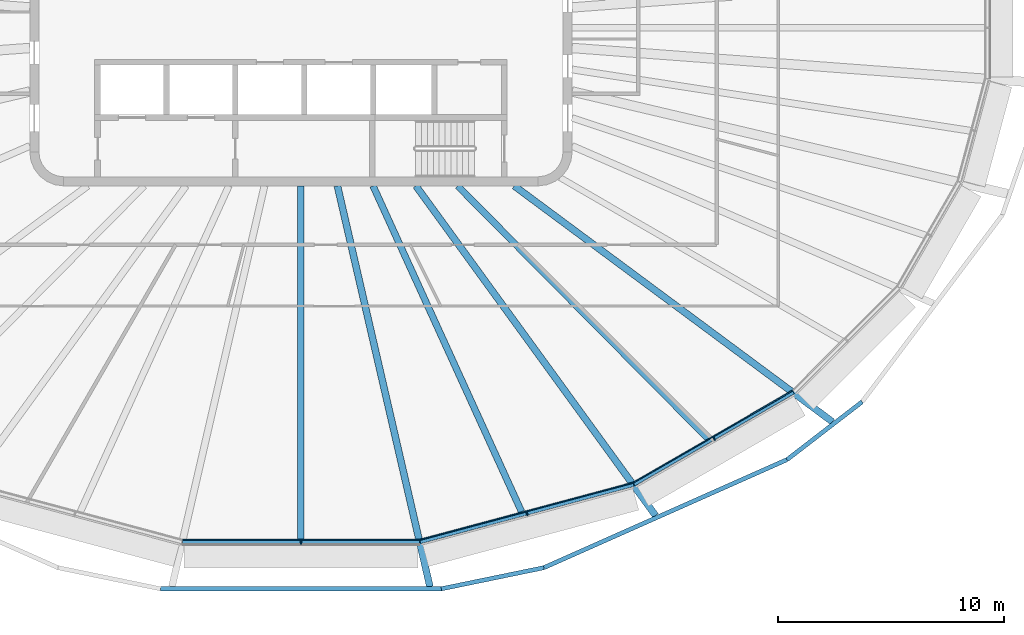
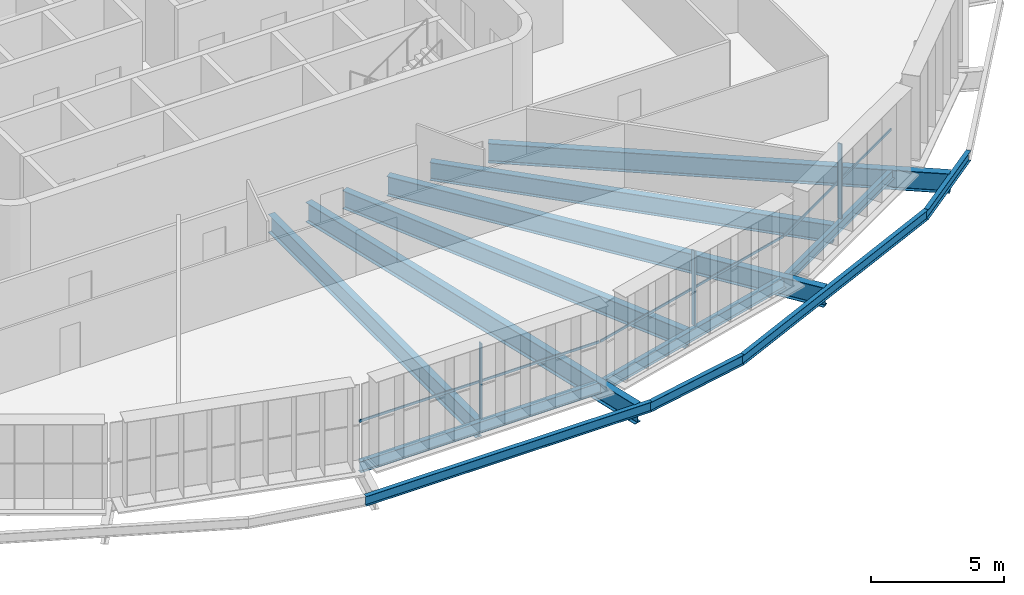
# One storey, part 3 of 19: 13 beams, 6 members, 3 elements without a shape of their own.
"""IFC4 building model written with IfcOpenShell, lengths in metres."""

from ifc_helpers import new_model, si_unit, direction, frame, origin, origin_2d, place, context, subcontext, project, spatial, rectangle, i_section, extrude, material, layer, layer_set, material_profile, profile_set, type_object, element, aggregate, save


model = new_model("IFC4")

# Units and contexts
model_context = context("Model", 3, precision=1e-05, world=origin(), true_north=direction((0.0, 1.0)))
body_context = subcontext(model_context, "Body", "Model", "MODEL_VIEW")
ifc_project = project(units=[si_unit("LENGTHUNIT", "METRE"), si_unit("AREAUNIT", "SQUARE_METRE"), si_unit("VOLUMEUNIT", "CUBIC_METRE"), si_unit("PLANEANGLEUNIT", "RADIAN"), si_unit("MASSUNIT", "GRAM", prefix="KILO")], contexts=[model_context])

# Site, building, storey
site_placement = place(None, origin())
site = spatial("IfcSite", under=ifc_project, at=site_placement, CompositionType="ELEMENT")
building_placement = place(site_placement, origin())
building = spatial("IfcBuilding", under=site, at=building_placement, Name="Sahrelin Media Tower", CompositionType="ELEMENT")
storey_placement = place(building_placement, frame((0.0, 0.0, 229.60009765625)))
storey = spatial("IfcBuildingStorey", under=building, at=storey_placement, Name="L49", CompositionType="ELEMENT", Elevation=229.60009765625)

# Beams
ifc_material_1 = material(Name="Steel S355", Category="steel")
ifc_material_profile_1 = material_profile(ifc_material_1, i_section(OverallWidth=0.1904296875, OverallDepth=0.45703125, WebThickness=0.009033203125, FlangeThickness=0.014404296875, FilletRadius=0.01025390625, at=origin_2d()), Name="UB 457x191x74")
ifc_profile_set_1 = profile_set([ifc_material_profile_1], Name="Steel S355")
beam_type_1 = type_object("IfcBeamType", Name="Edge beam EB5", PredefinedType="BEAM", material=ifc_profile_set_1)
beam_1_placement = place(storey_placement, frame((21.787841796875, -16.120361328125, -0.378662109375), z_axis=(-0.866014284008, -0.500019259524, 0.0), x_axis=(0.500019259524, -0.866014284008, 0.0)))
element("IfcBeam", 1, at=beam_1_placement, inside=storey, type_object=beam_type_1, Name="Edge beam L49-05", PredefinedType="BEAM", context=body_context, shape_type="SweptSolid", body=[
    extrude(i_section(OverallWidth=0.1904296875, OverallDepth=0.45703125, WebThickness=0.009033203125, FlangeThickness=0.014404296875, FilletRadius=0.01025390625, at=origin_2d()), origin(), (0.0, 0.0, 1.0), 8.140869140625),
])
ifc_material_profile_2 = material_profile(ifc_material_1, i_section(OverallWidth=0.208740234375, OverallDepth=0.5283203125, WebThickness=0.009521484375, FlangeThickness=0.01318359375, FilletRadius=0.0126953125, at=origin_2d()), Name="UB 533x210x82")
ifc_profile_set_2 = profile_set([ifc_material_profile_2], Name="Steel S355")
beam_type_2 = type_object("IfcBeamType", Name="Edge beam EB6", PredefinedType="BEAM", material=ifc_profile_set_2)
beam_2_placement = place(storey_placement, frame((14.711181640625, -20.201904296875, -0.414306640625), z_axis=(-0.965927302577, -0.258813535459, 0.0), x_axis=(0.258813535459, -0.965927302577, 0.0)))
element("IfcBeam", 2, at=beam_2_placement, inside=storey, type_object=beam_type_2, Name="Edge beam L49-06", PredefinedType="BEAM", context=body_context, shape_type="SweptSolid", body=[
    extrude(i_section(OverallWidth=0.208740234375, OverallDepth=0.5283203125, WebThickness=0.009521484375, FlangeThickness=0.01318359375, FilletRadius=0.0126953125, at=origin_2d()), origin(), (0.0, 0.0, 1.0), 9.768798828125),
])
beam_3_placement = place(storey_placement, frame((5.24658203125, -22.73388671875, -0.414306640625), z_axis=(-1.0, 0.0, 0.0), x_axis=(0.0, -1.0, 0.0)))
element("IfcBeam", 3, at=beam_3_placement, inside=storey, type_object=beam_type_2, Name="Edge beam L49-07", PredefinedType="BEAM", context=body_context, shape_type="SweptSolid", body=[
    extrude(i_section(OverallWidth=0.208740234375, OverallDepth=0.5283203125, WebThickness=0.009521484375, FlangeThickness=0.01318359375, FilletRadius=0.0126953125, at=origin_2d()), origin(), (0.0, 0.0, 1.0), 10.4931640625),
])

# Curtain wall, member
ifc_material_2 = material(Name="Champagne anodised aluminium 6063-T6", Category="aluminium")
ifc_layer = layer(ifc_material_2, 0.14990234375)
ifc_layer_set = layer_set([ifc_layer], Name="Tower ribbon curtain wall")
curtain_wall_type = type_object("IfcCurtainWallType", Name="Tower ribbon curtain wall", PredefinedType="NOTDEFINED", material=ifc_layer_set)
curtain_wall_1_placement = place(storey_placement, frame((0.0, -22.884033203125, 0.0), z_axis=(0.0, 0.0, 1.0), x_axis=(1.0, 0.0, 0.0)))
curtain_wall_1 = element("IfcCurtainWall", 4, at=curtain_wall_1_placement, inside=storey, type_object=curtain_wall_type, Name="L49:CW:L49-18", PredefinedType="NOTDEFINED")
ifc_material_profile_3 = material_profile(ifc_material_2, rectangle(XDim=0.06005859375, YDim=0.175048828125, at=origin_2d()), Name="Mullion 60x175")
ifc_profile_set_3 = profile_set([ifc_material_profile_3], Name="Champagne anodised aluminium 6063-T6")
member_type_1 = type_object("IfcMemberType", Name="Mullion 60x175 CW1B", PredefinedType="MULLION", material=ifc_profile_set_3)
member_1_placement = place(storey_placement, frame((0.0, -22.776611328125, 0.0), z_axis=(0.0, 0.0, 1.0), x_axis=(1.0, 0.0, 0.0)))
member_1 = element("IfcMember", 5, at=member_1_placement, type_object=member_type_1, Name="L49:CWM:L49-18", PredefinedType="MULLION", context=body_context, shape_type="SweptSolid", body=[
    extrude(rectangle(XDim=0.06005859375, YDim=0.175048828125, at=origin_2d()), origin(), (0.0, 0.0, 1.0), 3.448486328125),
])

curtain_wall_2_placement = place(storey_placement, frame((10.031982421875, -21.611083984375, 0.0), z_axis=(0.0, 0.0, 1.0), x_axis=(1.0, 0.0, 0.0)))
curtain_wall_2 = element("IfcCurtainWall", 6, at=curtain_wall_2_placement, inside=storey, type_object=curtain_wall_type, Name="L49:CW:L49-19", PredefinedType="NOTDEFINED")
member_2_placement = place(storey_placement, frame((10.004150390625, -21.507080078125, 0.0), z_axis=(0.0, 0.0, 1.0), x_axis=(0.965925826289, 0.258819045103, 0.0)))
member_2 = element("IfcMember", 7, at=member_2_placement, type_object=member_type_1, Name="L49:CWM:L49-19", PredefinedType="MULLION", context=body_context, shape_type="SweptSolid", body=[
    extrude(rectangle(XDim=0.06005859375, YDim=0.175048828125, at=origin_2d()), origin(), (0.0, 0.0, 1.0), 3.448486328125),
])

curtain_wall_3_placement = place(storey_placement, frame((18.337646484375, -18.285400390625, 0.0), z_axis=(0.0, 0.0, 1.0), x_axis=(1.0, 0.0, 0.0)))
curtain_wall_3 = element("IfcCurtainWall", 8, at=curtain_wall_3_placement, inside=storey, type_object=curtain_wall_type, Name="L49:CW:L49-20", PredefinedType="NOTDEFINED")
member_3_placement = place(storey_placement, frame((18.283935546875, -18.1923828125, 0.0), z_axis=(0.0, 0.0, 1.0), x_axis=(0.86602365845, 0.500003022996, 0.0)))
member_3 = element("IfcMember", 9, at=member_3_placement, type_object=member_type_1, Name="L49:CWM:L49-20", PredefinedType="MULLION", context=body_context, shape_type="SweptSolid", body=[
    extrude(rectangle(XDim=0.06005859375, YDim=0.175048828125, at=origin_2d()), origin(), (0.0, 0.0, 1.0), 3.448486328125),
])

# Beams
ifc_material_profile_4 = material_profile(ifc_material_1, i_section(OverallWidth=0.30322265625, OverallDepth=0.903076171875, WebThickness=0.01513671875, FlangeThickness=0.020263671875, FilletRadius=0.01904296875, at=origin_2d()), Name="UB 914x305x201")
ifc_profile_set_4 = profile_set([ifc_material_profile_4], Name="Steel S355")
beam_type_3 = type_object("IfcBeamType", Name="Radial primary beam PB11", PredefinedType="BEAM", material=ifc_profile_set_4)
beam_4_placement = place(storey_placement, frame((1.615234375, -7.0, -0.6015625), z_axis=(0.224863425005, -0.974390291462, 0.0), x_axis=(0.974390291462, 0.224863425005, 0.0)))
element("IfcBeam", 10, at=beam_4_placement, inside=storey, type_object=beam_type_3, Name="Radial beam L49-19", PredefinedType="BEAM", context=body_context, shape_type="SweptSolid", body=[
    extrude(i_section(OverallWidth=0.30322265625, OverallDepth=0.903076171875, WebThickness=0.01513671875, FlangeThickness=0.020263671875, FilletRadius=0.01904296875, at=origin_2d()), origin(), (0.0, 0.0, 1.0), 18.2021484375),
])
beam_5_placement = place(storey_placement, frame((5.088134765625, -7.0, -0.6015625), z_axis=(0.587961672332, -0.808888788319, 0.0), x_axis=(0.808888788319, 0.587961672332, 0.0)))
element("IfcBeam", 11, at=beam_5_placement, inside=storey, type_object=beam_type_3, Name="Radial beam L49-20", PredefinedType="BEAM", context=body_context, shape_type="SweptSolid", body=[
    extrude(i_section(OverallWidth=0.30322265625, OverallDepth=0.903076171875, WebThickness=0.01513671875, FlangeThickness=0.020263671875, FilletRadius=0.01904296875, at=origin_2d()), origin(), (0.0, 0.0, 1.0), 18.04150390625),
])
beam_6_placement = place(storey_placement, frame((9.4404296875, -7.0, -0.6015625), z_axis=(0.803268009865, -0.595617750178, 0.0), x_axis=(0.595617750178, 0.803268009865, 0.0)))
element("IfcBeam", 12, at=beam_6_placement, inside=storey, type_object=beam_type_3, Name="Radial beam L49-21", PredefinedType="BEAM", context=body_context, shape_type="SweptSolid", body=[
    extrude(i_section(OverallWidth=0.30322265625, OverallDepth=0.903076171875, WebThickness=0.01513671875, FlangeThickness=0.020263671875, FilletRadius=0.01904296875, at=origin_2d()), origin(), (0.0, 0.0, 1.0), 17.53369140625),
])
ifc_material_profile_5 = material_profile(ifc_material_1, i_section(OverallWidth=0.291748046875, OverallDepth=0.8349609375, WebThickness=0.013916015625, FlangeThickness=0.018798828125, FilletRadius=0.017822265625, at=origin_2d()), Name="UB 838x292x176")
ifc_profile_set_5 = profile_set([ifc_material_profile_5], Name="Steel S355")
beam_type_4 = type_object("IfcBeamType", Name="Radial secondary beam SB10", PredefinedType="BEAM", material=ifc_profile_set_5)
beam_7_placement = place(storey_placement, frame((0.0, -7.0, -0.567626953125), z_axis=(0.0, -1.0, 0.0), x_axis=(1.0, 0.0, 0.0)))
element("IfcBeam", 13, at=beam_7_placement, inside=storey, type_object=beam_type_4, Name="Secondary beam L49-14", PredefinedType="BEAM", context=body_context, shape_type="SweptSolid", body=[
    extrude(i_section(OverallWidth=0.291748046875, OverallDepth=0.8349609375, WebThickness=0.013916015625, FlangeThickness=0.018798828125, FilletRadius=0.017822265625, at=origin_2d()), origin(), (0.0, 0.0, 1.0), 15.629638671875),
])
beam_8_placement = place(storey_placement, frame((3.190673828125, -7.0, -0.567626953125), z_axis=(0.414737127923, -0.90994126993, 0.0), x_axis=(0.90994126993, 0.414737127923, 0.0)))
element("IfcBeam", 14, at=beam_8_placement, inside=storey, type_object=beam_type_4, Name="Secondary beam L49-15", PredefinedType="BEAM", context=body_context, shape_type="SweptSolid", body=[
    extrude(i_section(OverallWidth=0.291748046875, OverallDepth=0.8349609375, WebThickness=0.013916015625, FlangeThickness=0.018798828125, FilletRadius=0.017822265625, at=origin_2d()), origin(), (0.0, 0.0, 1.0), 15.846923828125),
])
beam_9_placement = place(storey_placement, frame((6.933837890625, -7.0, -0.567626953125), z_axis=(0.703742345505, -0.710455284408, 0.0), x_axis=(0.710455284408, 0.703742345505, 0.0)))
element("IfcBeam", 15, at=beam_9_placement, inside=storey, type_object=beam_type_4, Name="Secondary beam L49-16", PredefinedType="BEAM", context=body_context, shape_type="SweptSolid", body=[
    extrude(i_section(OverallWidth=0.291748046875, OverallDepth=0.8349609375, WebThickness=0.013916015625, FlangeThickness=0.018798828125, FilletRadius=0.017822265625, at=origin_2d()), origin(), (0.0, 0.0, 1.0), 15.74755859375),
])
ifc_material_profile_6 = material_profile(ifc_material_1, i_section(OverallWidth=0.1904296875, OverallDepth=0.45703125, WebThickness=0.009033203125, FlangeThickness=0.014404296875, FilletRadius=0.01025390625, at=origin_2d()), Name="UB 457x191x74")
ifc_profile_set_6 = profile_set([ifc_material_profile_6], Name="Steel S355")
beam_type_5 = type_object("IfcBeamType", Name="Tie chord TC5", PredefinedType="BEAM", material=ifc_profile_set_6)
beam_10_placement = place(storey_placement, frame((-6.2119140625, -24.831298828125, -0.378662109375), z_axis=(1.0, 0.0, 0.0), x_axis=(0.0, 1.0, 0.0)))
element("IfcBeam", 16, at=beam_10_placement, inside=storey, type_object=beam_type_5, Name="Tie chord L49-18", PredefinedType="BEAM", context=body_context, shape_type="SweptSolid", body=[
    extrude(i_section(OverallWidth=0.1904296875, OverallDepth=0.45703125, WebThickness=0.009033203125, FlangeThickness=0.014404296875, FilletRadius=0.01025390625, at=origin_2d()), origin(), (0.0, 0.0, 1.0), 12.423828125),
])
beam_11_placement = place(storey_placement, frame((6.2119140625, -24.831298828125, -0.378662109375), z_axis=(0.979389968608, 0.201978437935, 0.0), x_axis=(-0.201978437935, 0.979389968608, 0.0)))
element("IfcBeam", 17, at=beam_11_placement, inside=storey, type_object=beam_type_5, Name="Tie chord L49-19", PredefinedType="BEAM", context=body_context, shape_type="SweptSolid", body=[
    extrude(i_section(OverallWidth=0.1904296875, OverallDepth=0.45703125, WebThickness=0.009033203125, FlangeThickness=0.014404296875, FilletRadius=0.01025390625, at=origin_2d()), origin(), (0.0, 0.0, 1.0), 4.63427734375),
])
beam_12_placement = place(storey_placement, frame((10.750732421875, -23.895263671875, -0.378662109375), z_axis=(0.913838908375, 0.406076901017, 0.0), x_axis=(-0.406076901017, 0.913838908375, 0.0)))
element("IfcBeam", 18, at=beam_12_placement, inside=storey, type_object=beam_type_5, Name="Tie chord L49-20", PredefinedType="BEAM", context=body_context, shape_type="SweptSolid", body=[
    extrude(i_section(OverallWidth=0.1904296875, OverallDepth=0.45703125, WebThickness=0.009033203125, FlangeThickness=0.014404296875, FilletRadius=0.01025390625, at=origin_2d()), origin(), (0.0, 0.0, 1.0), 11.774169921875),
])
beam_13_placement = place(storey_placement, frame((21.510498046875, -19.114013671875, -0.378662109375), z_axis=(0.792411812876, 0.609986490682, 0.0), x_axis=(-0.609986490682, 0.792411812876, 0.0)))
element("IfcBeam", 19, at=beam_13_placement, inside=storey, type_object=beam_type_5, Name="Tie chord L49-21", PredefinedType="BEAM", context=body_context, shape_type="SweptSolid", body=[
    extrude(i_section(OverallWidth=0.1904296875, OverallDepth=0.45703125, WebThickness=0.009033203125, FlangeThickness=0.014404296875, FilletRadius=0.01025390625, at=origin_2d()), origin(), (0.0, 0.0, 1.0), 4.19287109375),
])

# Member
ifc_material_profile_7 = material_profile(ifc_material_2, rectangle(XDim=0.050048828125, YDim=0.110107421875, at=origin_2d()), Name="Transom 50x110")
ifc_profile_set_7 = profile_set([ifc_material_profile_7], Name="Champagne anodised aluminium 6063-T6")
member_type_2 = type_object("IfcMemberType", Name="Transom 50x110 CW1B", PredefinedType="USERDEFINED", material=ifc_profile_set_7)
member_4_placement = place(storey_placement, frame((-5.230712890625, -22.6640625, 1.599853515625), z_axis=(1.0, 0.0, 0.0), x_axis=(0.0, 1.0, 0.0)))
member_4 = element("IfcMember", 20, at=member_4_placement, type_object=member_type_2, Name="L49:CWT:L49-18", ObjectType="TRANSOM", PredefinedType="USERDEFINED", context=body_context, shape_type="SweptSolid", body=[
    extrude(rectangle(XDim=0.050048828125, YDim=0.110107421875, at=origin_2d()), origin(), (0.0, 0.0, 1.0), 10.46142578125),
])

aggregate(curtain_wall_1, [member_1, member_4])

member_5_placement = place(storey_placement, frame((5.272216796875, -22.65869140625, 1.599853515625), z_axis=(0.965917944543, 0.25884845839, 0.0), x_axis=(-0.25884845839, 0.965917944543, 0.0)))
member_5 = element("IfcMember", 21, at=member_5_placement, type_object=member_type_2, Name="L49:CWT:L49-19", ObjectType="TRANSOM", PredefinedType="USERDEFINED", context=body_context, shape_type="SweptSolid", body=[
    extrude(rectangle(XDim=0.050048828125, YDim=0.110107421875, at=origin_2d()), origin(), (0.0, 0.0, 1.0), 9.7373046875),
])

aggregate(curtain_wall_2, [member_2, member_5])

member_6_placement = place(storey_placement, frame((14.71630859375, -20.122314453125, 1.599853515625), z_axis=(0.866026157845, 0.499998693927, 0.0), x_axis=(-0.499998693927, 0.866026157845, 0.0)))
member_6 = element("IfcMember", 22, at=member_6_placement, type_object=member_type_2, Name="L49:CWT:L49-20", ObjectType="TRANSOM", PredefinedType="USERDEFINED", context=body_context, shape_type="SweptSolid", body=[
    extrude(rectangle(XDim=0.050048828125, YDim=0.110107421875, at=origin_2d()), origin(), (0.0, 0.0, 1.0), 8.109375),
])

aggregate(curtain_wall_3, [member_3, member_6])

save(model, "model.ifc")
